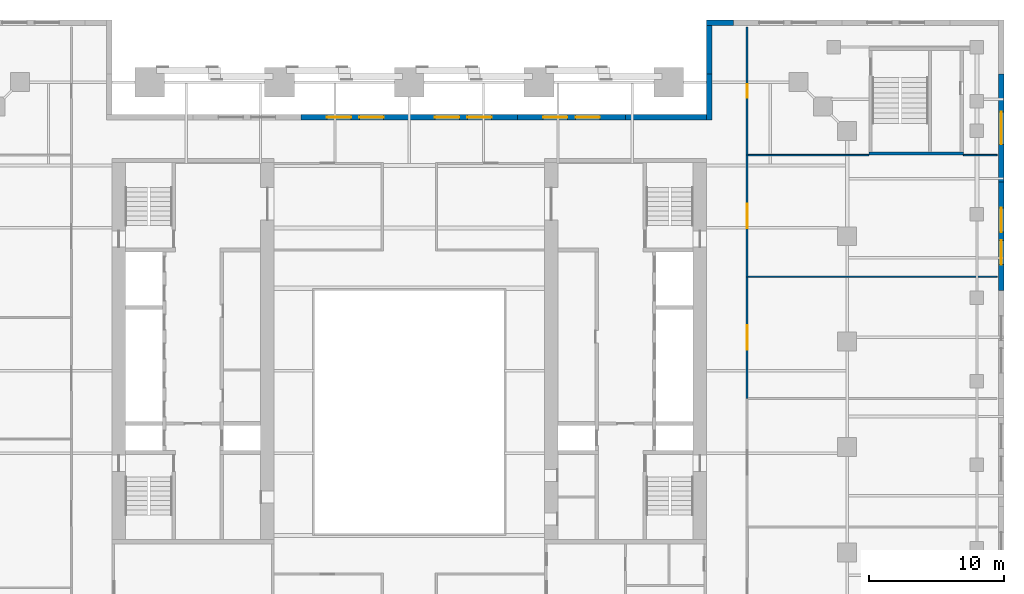
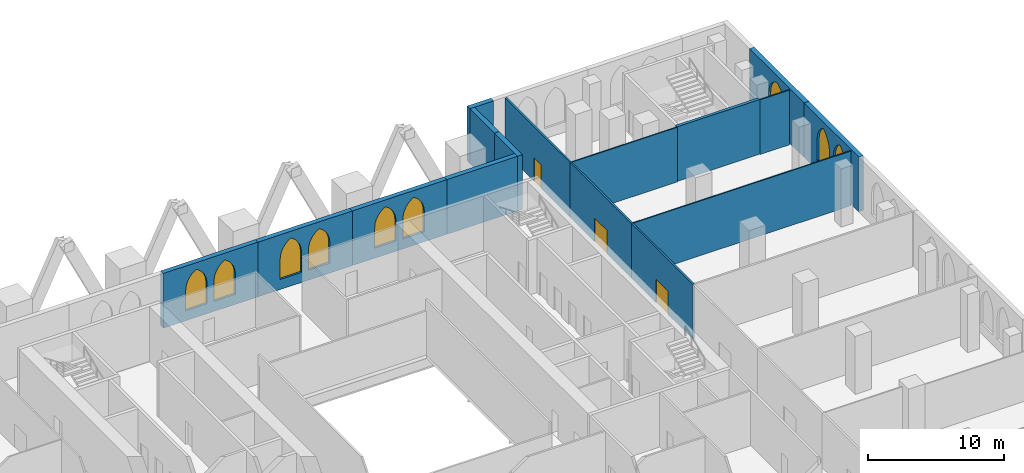
# One storey, part 17 of 22: 16 walls, 9 windows, 3 doors, 12 openings.
"""IFC4 building model written with IfcOpenShell, lengths in metres."""

from ifc_helpers import new_model, si_unit, direction, frame, frame_2d, origin, place, context, subcontext, project, spatial, polyline, rectangle, outline, extrude, material, layer, layer_set, type_object, element, fill, save


model = new_model("IFC4")

# Units and contexts
model_context = context("Model", 3, precision=1e-05, world=origin(), true_north=direction((0.0, 1.0)))
body_context = subcontext(model_context, "Body", "Model", "MODEL_VIEW")
ifc_project = project(units=[si_unit("LENGTHUNIT", "METRE"), si_unit("AREAUNIT", "SQUARE_METRE"), si_unit("VOLUMEUNIT", "CUBIC_METRE"), si_unit("PLANEANGLEUNIT", "RADIAN"), si_unit("MASSUNIT", "GRAM", prefix="KILO")], contexts=[model_context])

# Site, building, storey
site_placement = place(None, origin())
site = spatial("IfcSite", under=ifc_project, at=site_placement, CompositionType="ELEMENT")
building_placement = place(site_placement, origin())
building = spatial("IfcBuilding", under=site, at=building_placement, Name="Ogive Exchange Tower", CompositionType="ELEMENT")
storey_placement = place(building_placement, frame((0.0, 0.0, 14.0)))
storey = spatial("IfcBuildingStorey", under=building, at=storey_placement, Name="L02", CompositionType="ELEMENT", Elevation=14.0)

# Wall, opening, door
ifc_material_1 = material(Name="Fire partition EI 60 150")
ifc_layer_1 = layer(ifc_material_1, 0.14990234375)
ifc_layer_set_1 = layer_set([ifc_layer_1], Name="Fire partition EI 60 150")
wall_type_1 = type_object("IfcWallType", Name="Fire partition EI 60 150", PredefinedType="PARTITIONING", material=ifc_layer_set_1)
wall_1_placement = place(storey_placement, frame((25.0, 8.0, 0.0), z_axis=(0.0, 0.0, 1.0), x_axis=(0.0, 1.0, 0.0)))
wall_1 = element("IfcWall", 1, at=wall_1_placement, inside=storey, type_object=wall_type_1, Name="L02-PWL-058", PredefinedType="PARTITIONING", context=body_context, shape_type="SweptSolid", body=[
    extrude(rectangle(XDim=9.0, YDim=0.14990234375, at=frame_2d((4.5, 0.0))), origin(), (0.0, 0.0, 1.0), 4.89990234375),
])
opening_1_placement = place(wall_1_placement, frame((3.60009765625, 0.0, 0.0)))
opening_1 = element("IfcOpeningElement", 2, at=opening_1_placement, cuts=wall_1, Name="Opening L02-I12", PredefinedType="OPENING", context=body_context, shape_type="SweptSolid", body=[
    extrude(rectangle(XDim=1.800048828125, YDim=2.10009765625, at=frame_2d((0.89990234375, 1.050048828125))), frame((0.0, 0.0849609375, 0.0), z_axis=(0.0, -1.0, 0.0), x_axis=(1.0, 0.0, 0.0)), (0.0, 0.0, 1.0), 0.169921875),
])
ifc_material_2 = material(Name="Fire door FD 30S 1800 x 2100")
door_type_1 = type_object("IfcDoorType", Name="Fire door FD 30S 1800 x 2100", OperationType="DOUBLE_DOOR_SINGLE_SWING", PredefinedType="DOOR", material=ifc_material_2)
door_1_placement = place(opening_1_placement, frame((1.800048828125, 0.0, 0.0), z_axis=(0.0, 0.0, 1.0), x_axis=(-1.0, 0.0, 0.0)))
door_1 = element("IfcDoor", 3, at=door_1_placement, inside=storey, type_object=door_type_1, Name="L02-IDR-012", ObjectType="DT4", OperationType="SINGLE_SWING_LEFT", OverallHeight=2.10009765625, OverallWidth=1.800048828125, PredefinedType="DOOR", context=body_context, shape_type="SweptSolid", body=[
    extrude(rectangle(XDim=1.800048828125, YDim=2.10009765625, at=frame_2d((0.89990234375, 1.050048828125))), frame((0.0, 0.02490234375, 0.0), z_axis=(0.0, -1.0, 0.0), x_axis=(1.0, 0.0, 0.0)), (0.0, 0.0, 1.0), 0.050048828125),
])
fill(opening_1, door_1)

wall_2_placement = place(storey_placement, frame((25.0, 17.0, 0.0), z_axis=(0.0, 0.0, 1.0), x_axis=(0.0, 1.0, 0.0)))
wall_2 = element("IfcWall", 4, at=wall_2_placement, inside=storey, type_object=wall_type_1, Name="L02-PWL-059", PredefinedType="PARTITIONING", context=body_context, shape_type="SweptSolid", body=[
    extrude(rectangle(XDim=9.0, YDim=0.14990234375, at=frame_2d((4.5, 0.0))), origin(), (0.0, 0.0, 1.0), 4.89990234375),
])
opening_2_placement = place(wall_2_placement, frame((3.60009765625, 0.0, 0.0)))
opening_2 = element("IfcOpeningElement", 5, at=opening_2_placement, cuts=wall_2, Name="Opening L02-I13", PredefinedType="OPENING", context=body_context, shape_type="SweptSolid", body=[
    extrude(rectangle(XDim=1.800048828125, YDim=2.10009765625, at=frame_2d((0.89990234375, 1.050048828125))), frame((0.0, 0.0849609375, 0.0), z_axis=(0.0, -1.0, 0.0), x_axis=(1.0, 0.0, 0.0)), (0.0, 0.0, 1.0), 0.169921875),
])
door_2_placement = place(opening_2_placement, frame((1.800048828125, 0.0, 0.0), z_axis=(0.0, 0.0, 1.0), x_axis=(-1.0, 0.0, 0.0)))
door_2 = element("IfcDoor", 6, at=door_2_placement, inside=storey, type_object=door_type_1, Name="L02-IDR-013", ObjectType="DT4", OperationType="SINGLE_SWING_LEFT", OverallHeight=2.10009765625, OverallWidth=1.800048828125, PredefinedType="DOOR", context=body_context, shape_type="SweptSolid", body=[
    extrude(rectangle(XDim=1.800048828125, YDim=2.10009765625, at=frame_2d((0.89990234375, 1.050048828125))), frame((0.0, 0.02490234375, 0.0), z_axis=(0.0, -1.0, 0.0), x_axis=(1.0, 0.0, 0.0)), (0.0, 0.0, 1.0), 0.050048828125),
])
fill(opening_2, door_2)

wall_3_placement = place(storey_placement, frame((25.0, 26.0, 0.0), z_axis=(0.0, 0.0, 1.0), x_axis=(0.0, 1.0, 0.0)))
wall_3 = element("IfcWall", 7, at=wall_3_placement, inside=storey, type_object=wall_type_1, Name="L02-PWL-060", PredefinedType="PARTITIONING", context=body_context, shape_type="SweptSolid", body=[
    extrude(rectangle(XDim=9.5, YDim=0.14990234375, at=frame_2d((4.75, 0.0))), origin(), (0.0, 0.0, 1.0), 4.89990234375),
])
opening_3_placement = place(wall_3_placement, frame((4.25, 0.0, 0.0)))
opening_3 = element("IfcOpeningElement", 8, at=opening_3_placement, cuts=wall_3, Name="Opening L02-I02", PredefinedType="OPENING", context=body_context, shape_type="SweptSolid", body=[
    extrude(rectangle(XDim=1.0, YDim=2.10009765625, at=frame_2d((0.5, 1.050048828125))), frame((0.0, 0.0849609375, 0.0), z_axis=(0.0, -1.0, 0.0), x_axis=(1.0, 0.0, 0.0)), (0.0, 0.0, 1.0), 0.169921875),
])
ifc_material_3 = material(Name="Fire door FD 30S 1000 x 2100")
door_type_2 = type_object("IfcDoorType", Name="Fire door FD 30S 1000 x 2100", OperationType="NOTDEFINED", PredefinedType="DOOR", material=ifc_material_3)
door_3_placement = place(opening_3_placement, frame((1.0, 0.0, 0.0), z_axis=(0.0, 0.0, 1.0), x_axis=(-1.0, 0.0, 0.0)))
door_3 = element("IfcDoor", 9, at=door_3_placement, inside=storey, type_object=door_type_2, Name="L02-IDR-002", ObjectType="DT3", OperationType="SINGLE_SWING_RIGHT", OverallHeight=2.10009765625, OverallWidth=1.0, PredefinedType="DOOR", context=body_context, shape_type="SweptSolid", body=[
    extrude(rectangle(XDim=1.0, YDim=2.10009765625, at=frame_2d((0.5, 1.050048828125))), frame((0.0, 0.02490234375, 0.0), z_axis=(0.0, -1.0, 0.0), x_axis=(1.0, 0.0, 0.0)), (0.0, 0.0, 1.0), 0.050048828125),
])
fill(opening_3, door_3)

# Wall, openings, windows
ifc_material_4 = material(Name="Precast concrete C40/50", Category="concrete")
ifc_layer_2 = layer(ifc_material_4, 0.39990234375)
ifc_layer_set_2 = layer_set([ifc_layer_2], Name="Limestone-faced wall 400")
wall_type_2 = type_object("IfcWallType", Name="Limestone-faced wall 400", PredefinedType="STANDARD", material=ifc_layer_set_2)
wall_4_placement = place(storey_placement, frame((43.800048828125, 16.0, 0.0), z_axis=(0.0, 0.0, 1.0), x_axis=(0.0, 1.0, 0.0)))
wall_4 = element("IfcWall", 10, at=wall_4_placement, inside=storey, type_object=wall_type_2, Name="Podium wall E10", PredefinedType="STANDARD", context=body_context, shape_type="SweptSolid", body=[
    extrude(rectangle(XDim=8.0, YDim=0.39990234375, at=frame_2d((4.0, 0.0))), origin(), (0.0, 0.0, 1.0), 4.89990234375),
])
opening_4_placement = place(wall_4_placement, frame((1.89990234375, 0.0, 0.89990234375)))
opening_4 = element("IfcOpeningElement", 11, at=opening_4_placement, cuts=wall_4, Name="Opening WQ340", PredefinedType="OPENING", context=body_context, shape_type="SweptSolid", body=[
    extrude(outline(polyline([(0.0, 0.0), (1.800048828125, 0.0), (1.800048828125, 1.841064453125), (1.78466796875, 2.075927734375), (1.73876953125, 2.306884765625), (1.6630859375, 2.52978515625), (1.558837890625, 2.740966796875), (1.427978515625, 2.936767578125), (1.272705078125, 3.11376953125), (1.095703125, 3.26904296875), (0.89990234375, 3.39990234375), (0.704345703125, 3.26904296875), (0.52734375, 3.11376953125), (0.3720703125, 2.936767578125), (0.2412109375, 2.740966796875), (0.136962890625, 2.52978515625), (0.061279296875, 2.306884765625), (0.015380859375, 2.075927734375), (0.0, 1.841064453125), (0.0, 0.0)])), frame((0.0, 0.2099609375, 0.0), z_axis=(0.0, -1.0, 0.0), x_axis=(1.0, 0.0, 0.0)), (0.0, 0.0, 1.0), 0.419921875),
])
opening_5_placement = place(wall_4_placement, frame((4.300048828125, 0.0, 0.89990234375)))
opening_5 = element("IfcOpeningElement", 12, at=opening_5_placement, cuts=wall_4, Name="Opening WQ340", PredefinedType="OPENING", context=body_context, shape_type="SweptSolid", body=[
    extrude(outline(polyline([(0.0, 0.0), (1.800048828125, 0.0), (1.800048828125, 1.841064453125), (1.78466796875, 2.075927734375), (1.73876953125, 2.306884765625), (1.6630859375, 2.52978515625), (1.558837890625, 2.740966796875), (1.427978515625, 2.936767578125), (1.272705078125, 3.11376953125), (1.095703125, 3.26904296875), (0.89990234375, 3.39990234375), (0.704345703125, 3.26904296875), (0.52734375, 3.11376953125), (0.3720703125, 2.936767578125), (0.2412109375, 2.740966796875), (0.136962890625, 2.52978515625), (0.061279296875, 2.306884765625), (0.015380859375, 2.075927734375), (0.0, 1.841064453125), (0.0, 0.0)])), frame((0.0, 0.2099609375, 0.0), z_axis=(0.0, -1.0, 0.0), x_axis=(1.0, 0.0, 0.0)), (0.0, 0.0, 1.0), 0.419921875),
])
ifc_material_5 = material(Name="Clear glass in bronze frame", Category="glass")
window_type_1 = type_object("IfcWindowType", Name="Podium paired lancet 1800 x 3400", PartitioningType="DOUBLE_PANEL_VERTICAL", PredefinedType="WINDOW", material=ifc_material_5)
window_1_placement = place(opening_4_placement, origin())
window_1 = element("IfcWindow", 13, at=window_1_placement, inside=storey, type_object=window_type_1, Name="Podium paired lancet E10.1", OverallHeight=3.39990234375, OverallWidth=1.800048828125, PartitioningType="DOUBLE_PANEL_VERTICAL", PredefinedType="WINDOW", context=body_context, shape_type="SweptSolid", body=[
    extrude(outline(polyline([(0.0, 0.0), (1.800048828125, 0.0), (1.800048828125, 1.841064453125), (1.78466796875, 2.075927734375), (1.73876953125, 2.306884765625), (1.6630859375, 2.52978515625), (1.558837890625, 2.740966796875), (1.427978515625, 2.936767578125), (1.272705078125, 3.11376953125), (1.095703125, 3.26904296875), (0.89990234375, 3.39990234375), (0.704345703125, 3.26904296875), (0.52734375, 3.11376953125), (0.3720703125, 2.936767578125), (0.2412109375, 2.740966796875), (0.136962890625, 2.52978515625), (0.061279296875, 2.306884765625), (0.015380859375, 2.075927734375), (0.0, 1.841064453125), (0.0, 0.0)])), frame((0.0, 0.030029296875, 0.0), z_axis=(0.0, -1.0, 0.0), x_axis=(1.0, 0.0, 0.0)), (0.0, 0.0, 1.0), 0.06005859375),
])
fill(opening_4, window_1)
window_2_placement = place(opening_5_placement, origin())
window_2 = element("IfcWindow", 14, at=window_2_placement, inside=storey, type_object=window_type_1, Name="Podium paired lancet E10.2", OverallHeight=3.39990234375, OverallWidth=1.800048828125, PartitioningType="DOUBLE_PANEL_VERTICAL", PredefinedType="WINDOW", context=body_context, shape_type="SweptSolid", body=[
    extrude(outline(polyline([(0.0, 0.0), (1.800048828125, 0.0), (1.800048828125, 1.841064453125), (1.78466796875, 2.075927734375), (1.73876953125, 2.306884765625), (1.6630859375, 2.52978515625), (1.558837890625, 2.740966796875), (1.427978515625, 2.936767578125), (1.272705078125, 3.11376953125), (1.095703125, 3.26904296875), (0.89990234375, 3.39990234375), (0.704345703125, 3.26904296875), (0.52734375, 3.11376953125), (0.3720703125, 2.936767578125), (0.2412109375, 2.740966796875), (0.136962890625, 2.52978515625), (0.061279296875, 2.306884765625), (0.015380859375, 2.075927734375), (0.0, 1.841064453125), (0.0, 0.0)])), frame((0.0, 0.030029296875, 0.0), z_axis=(0.0, -1.0, 0.0), x_axis=(1.0, 0.0, 0.0)), (0.0, 0.0, 1.0), 0.06005859375),
])
fill(opening_5, window_2)

# Wall, opening, window
wall_5_placement = place(storey_placement, frame((43.800048828125, 24.0, 0.0), z_axis=(0.0, 0.0, 1.0), x_axis=(0.0, 1.0, 0.0)))
wall_5 = element("IfcWall", 15, at=wall_5_placement, inside=storey, type_object=wall_type_2, Name="Podium wall E11", PredefinedType="STANDARD", context=body_context, shape_type="SweptSolid", body=[
    extrude(rectangle(XDim=8.0, YDim=0.39990234375, at=frame_2d((4.0, 0.0))), origin(), (0.0, 0.0, 1.0), 4.89990234375),
])
opening_6_placement = place(wall_5_placement, frame((2.800048828125, 0.0, 0.89990234375)))
opening_6 = element("IfcOpeningElement", 16, at=opening_6_placement, cuts=wall_5, Name="Opening WP340", PredefinedType="OPENING", context=body_context, shape_type="SweptSolid", body=[
    extrude(outline(polyline([(0.0, 0.0), (2.39990234375, 0.0), (2.39990234375, 1.699951171875), (2.378662109375, 1.97607421875), (2.3154296875, 2.24560546875), (2.211669921875, 2.50244140625), (2.069580078125, 2.740234375), (1.89306640625, 2.95361328125), (1.685791015625, 3.137451171875), (1.453125, 3.287353515625), (1.199951171875, 3.39990234375), (0.94677734375, 3.287353515625), (0.714111328125, 3.137451171875), (0.5068359375, 2.95361328125), (0.330322265625, 2.740234375), (0.188232421875, 2.50244140625), (0.08447265625, 2.24560546875), (0.021240234375, 1.97607421875), (0.0, 1.699951171875), (0.0, 0.0)])), frame((0.0, 0.2099609375, 0.0), z_axis=(0.0, -1.0, 0.0), x_axis=(1.0, 0.0, 0.0)), (0.0, 0.0, 1.0), 0.419921875),
])
window_type_2 = type_object("IfcWindowType", Name="Podium lancet window 2400 x 3400", PartitioningType="DOUBLE_PANEL_VERTICAL", PredefinedType="WINDOW", material=ifc_material_5)
window_3_placement = place(opening_6_placement, origin())
window_3 = element("IfcWindow", 17, at=window_3_placement, inside=storey, type_object=window_type_2, Name="Podium window E11", OverallHeight=3.39990234375, OverallWidth=2.39990234375, PartitioningType="DOUBLE_PANEL_VERTICAL", PredefinedType="WINDOW", context=body_context, shape_type="SweptSolid", body=[
    extrude(outline(polyline([(0.0, 0.0), (2.39990234375, 0.0), (2.39990234375, 1.699951171875), (2.378662109375, 1.97607421875), (2.3154296875, 2.24560546875), (2.211669921875, 2.50244140625), (2.069580078125, 2.740234375), (1.89306640625, 2.95361328125), (1.685791015625, 3.137451171875), (1.453125, 3.287353515625), (1.199951171875, 3.39990234375), (0.94677734375, 3.287353515625), (0.714111328125, 3.137451171875), (0.5068359375, 2.95361328125), (0.330322265625, 2.740234375), (0.188232421875, 2.50244140625), (0.08447265625, 2.24560546875), (0.021240234375, 1.97607421875), (0.0, 1.699951171875), (0.0, 0.0)])), frame((0.0, 0.030029296875, 0.0), z_axis=(0.0, -1.0, 0.0), x_axis=(1.0, 0.0, 0.0)), (0.0, 0.0, 1.0), 0.06005859375),
])
fill(opening_6, window_3)

# Walls
wall_6_placement = place(storey_placement, frame((24.0, 35.800048828125, 0.0), z_axis=(0.0, 0.0, 1.0), x_axis=(-1.0, 0.0, 0.0)))
element("IfcWall", 18, at=wall_6_placement, inside=storey, type_object=wall_type_2, Name="Podium wall N4", PredefinedType="STANDARD", context=body_context, shape_type="SweptSolid", body=[
    extrude(rectangle(XDim=2.0, YDim=0.39990234375, at=frame_2d((1.0, 0.0))), origin(), (0.0, 0.0, 1.0), 4.89990234375),
])
wall_7_placement = place(storey_placement, frame((22.199951171875, 35.60009765625, 0.0), z_axis=(0.0, 0.0, 1.0), x_axis=(0.0, -1.0, 0.0)))
element("IfcWall", 19, at=wall_7_placement, inside=storey, type_object=wall_type_2, Name="Podium wall K1", PredefinedType="STANDARD", context=body_context, shape_type="SweptSolid", body=[
    extrude(rectangle(XDim=3.60009765625, YDim=0.39990234375, at=frame_2d((1.800048828125, 0.0))), origin(), (0.0, 0.0, 1.0), 4.89990234375),
])
wall_8_placement = place(storey_placement, frame((22.199951171875, 32.0, 0.0), z_axis=(0.0, 0.0, 1.0), x_axis=(0.0, -1.0, 0.0)))
element("IfcWall", 20, at=wall_8_placement, inside=storey, type_object=wall_type_2, Name="Podium wall K2", PredefinedType="STANDARD", context=body_context, shape_type="SweptSolid", body=[
    extrude(rectangle(XDim=3.39990234375, YDim=0.39990234375, at=frame_2d((1.699951171875, 0.0))), origin(), (0.0, 0.0, 1.0), 4.89990234375),
])
wall_9_placement = place(storey_placement, frame((22.0, 28.800048828125, 0.0), z_axis=(0.0, 0.0, 1.0), x_axis=(-1.0, 0.0, 0.0)))
element("IfcWall", 21, at=wall_9_placement, inside=storey, type_object=wall_type_2, Name="Podium wall B1", PredefinedType="STANDARD", context=body_context, shape_type="SweptSolid", body=[
    extrude(rectangle(XDim=6.0, YDim=0.39990234375, at=frame_2d((3.0, 0.0))), origin(), (0.0, 0.0, 1.0), 4.89990234375),
])

# Wall, openings, windows
wall_10_placement = place(storey_placement, frame((16.0, 28.800048828125, 0.0), z_axis=(0.0, 0.0, 1.0), x_axis=(-1.0, 0.0, 0.0)))
wall_10 = element("IfcWall", 22, at=wall_10_placement, inside=storey, type_object=wall_type_2, Name="Podium wall B2", PredefinedType="STANDARD", context=body_context, shape_type="SweptSolid", body=[
    extrude(rectangle(XDim=8.0, YDim=0.39990234375, at=frame_2d((4.0, 0.0))), origin(), (0.0, 0.0, 1.0), 4.89990234375),
])
opening_7_placement = place(wall_10_placement, frame((1.89990234375, 0.0, 0.89990234375)))
opening_7 = element("IfcOpeningElement", 23, at=opening_7_placement, cuts=wall_10, Name="Opening WQ340", PredefinedType="OPENING", context=body_context, shape_type="SweptSolid", body=[
    extrude(outline(polyline([(0.0, 0.0), (1.800048828125, 0.0), (1.800048828125, 1.841064453125), (1.78466796875, 2.075927734375), (1.73876953125, 2.306884765625), (1.6630859375, 2.52978515625), (1.558837890625, 2.740966796875), (1.427978515625, 2.936767578125), (1.272705078125, 3.11376953125), (1.095703125, 3.26904296875), (0.89990234375, 3.39990234375), (0.704345703125, 3.26904296875), (0.52734375, 3.11376953125), (0.3720703125, 2.936767578125), (0.2412109375, 2.740966796875), (0.136962890625, 2.52978515625), (0.061279296875, 2.306884765625), (0.015380859375, 2.075927734375), (0.0, 1.841064453125), (0.0, 0.0)])), frame((0.0, 0.2099609375, 0.0), z_axis=(0.0, -1.0, 0.0), x_axis=(1.0, 0.0, 0.0)), (0.0, 0.0, 1.0), 0.419921875),
])
opening_8_placement = place(wall_10_placement, frame((4.300048828125, 0.0, 0.89990234375)))
opening_8 = element("IfcOpeningElement", 24, at=opening_8_placement, cuts=wall_10, Name="Opening WQ340", PredefinedType="OPENING", context=body_context, shape_type="SweptSolid", body=[
    extrude(outline(polyline([(0.0, 0.0), (1.800048828125, 0.0), (1.800048828125, 1.841064453125), (1.78466796875, 2.075927734375), (1.73876953125, 2.306884765625), (1.6630859375, 2.52978515625), (1.558837890625, 2.740966796875), (1.427978515625, 2.936767578125), (1.272705078125, 3.11376953125), (1.095703125, 3.26904296875), (0.89990234375, 3.39990234375), (0.704345703125, 3.26904296875), (0.52734375, 3.11376953125), (0.3720703125, 2.936767578125), (0.2412109375, 2.740966796875), (0.136962890625, 2.52978515625), (0.061279296875, 2.306884765625), (0.015380859375, 2.075927734375), (0.0, 1.841064453125), (0.0, 0.0)])), frame((0.0, 0.2099609375, 0.0), z_axis=(0.0, -1.0, 0.0), x_axis=(1.0, 0.0, 0.0)), (0.0, 0.0, 1.0), 0.419921875),
])
window_4_placement = place(opening_7_placement, origin())
window_4 = element("IfcWindow", 25, at=window_4_placement, inside=storey, type_object=window_type_1, Name="Podium paired lancet B2.1", OverallHeight=3.39990234375, OverallWidth=1.800048828125, PartitioningType="DOUBLE_PANEL_VERTICAL", PredefinedType="WINDOW", context=body_context, shape_type="SweptSolid", body=[
    extrude(outline(polyline([(0.0, 0.0), (1.800048828125, 0.0), (1.800048828125, 1.841064453125), (1.78466796875, 2.075927734375), (1.73876953125, 2.306884765625), (1.6630859375, 2.52978515625), (1.558837890625, 2.740966796875), (1.427978515625, 2.936767578125), (1.272705078125, 3.11376953125), (1.095703125, 3.26904296875), (0.89990234375, 3.39990234375), (0.704345703125, 3.26904296875), (0.52734375, 3.11376953125), (0.3720703125, 2.936767578125), (0.2412109375, 2.740966796875), (0.136962890625, 2.52978515625), (0.061279296875, 2.306884765625), (0.015380859375, 2.075927734375), (0.0, 1.841064453125), (0.0, 0.0)])), frame((0.0, 0.030029296875, 0.0), z_axis=(0.0, -1.0, 0.0), x_axis=(1.0, 0.0, 0.0)), (0.0, 0.0, 1.0), 0.06005859375),
])
fill(opening_7, window_4)
window_5_placement = place(opening_8_placement, origin())
window_5 = element("IfcWindow", 26, at=window_5_placement, inside=storey, type_object=window_type_1, Name="Podium paired lancet B2.2", OverallHeight=3.39990234375, OverallWidth=1.800048828125, PartitioningType="DOUBLE_PANEL_VERTICAL", PredefinedType="WINDOW", context=body_context, shape_type="SweptSolid", body=[
    extrude(outline(polyline([(0.0, 0.0), (1.800048828125, 0.0), (1.800048828125, 1.841064453125), (1.78466796875, 2.075927734375), (1.73876953125, 2.306884765625), (1.6630859375, 2.52978515625), (1.558837890625, 2.740966796875), (1.427978515625, 2.936767578125), (1.272705078125, 3.11376953125), (1.095703125, 3.26904296875), (0.89990234375, 3.39990234375), (0.704345703125, 3.26904296875), (0.52734375, 3.11376953125), (0.3720703125, 2.936767578125), (0.2412109375, 2.740966796875), (0.136962890625, 2.52978515625), (0.061279296875, 2.306884765625), (0.015380859375, 2.075927734375), (0.0, 1.841064453125), (0.0, 0.0)])), frame((0.0, 0.030029296875, 0.0), z_axis=(0.0, -1.0, 0.0), x_axis=(1.0, 0.0, 0.0)), (0.0, 0.0, 1.0), 0.06005859375),
])
fill(opening_8, window_5)

wall_11_placement = place(storey_placement, frame((8.0, 28.800048828125, 0.0), z_axis=(0.0, 0.0, 1.0), x_axis=(-1.0, 0.0, 0.0)))
wall_11 = element("IfcWall", 27, at=wall_11_placement, inside=storey, type_object=wall_type_2, Name="Podium wall B3", PredefinedType="STANDARD", context=body_context, shape_type="SweptSolid", body=[
    extrude(rectangle(XDim=8.0, YDim=0.39990234375, at=frame_2d((4.0, 0.0))), origin(), (0.0, 0.0, 1.0), 4.89990234375),
])
opening_9_placement = place(wall_11_placement, frame((1.89990234375, 0.0, 0.89990234375)))
opening_9 = element("IfcOpeningElement", 28, at=opening_9_placement, cuts=wall_11, Name="Opening WQ340", PredefinedType="OPENING", context=body_context, shape_type="SweptSolid", body=[
    extrude(outline(polyline([(0.0, 0.0), (1.800048828125, 0.0), (1.800048828125, 1.841064453125), (1.78466796875, 2.075927734375), (1.73876953125, 2.306884765625), (1.6630859375, 2.52978515625), (1.558837890625, 2.740966796875), (1.427978515625, 2.936767578125), (1.272705078125, 3.11376953125), (1.095703125, 3.26904296875), (0.89990234375, 3.39990234375), (0.704345703125, 3.26904296875), (0.52734375, 3.11376953125), (0.3720703125, 2.936767578125), (0.2412109375, 2.740966796875), (0.136962890625, 2.52978515625), (0.061279296875, 2.306884765625), (0.015380859375, 2.075927734375), (0.0, 1.841064453125), (0.0, 0.0)])), frame((0.0, 0.2099609375, 0.0), z_axis=(0.0, -1.0, 0.0), x_axis=(1.0, 0.0, 0.0)), (0.0, 0.0, 1.0), 0.419921875),
])
opening_10_placement = place(wall_11_placement, frame((4.300048828125, 0.0, 0.89990234375)))
opening_10 = element("IfcOpeningElement", 29, at=opening_10_placement, cuts=wall_11, Name="Opening WQ340", PredefinedType="OPENING", context=body_context, shape_type="SweptSolid", body=[
    extrude(outline(polyline([(0.0, 0.0), (1.800048828125, 0.0), (1.800048828125, 1.841064453125), (1.78466796875, 2.075927734375), (1.73876953125, 2.306884765625), (1.6630859375, 2.52978515625), (1.558837890625, 2.740966796875), (1.427978515625, 2.936767578125), (1.272705078125, 3.11376953125), (1.095703125, 3.26904296875), (0.89990234375, 3.39990234375), (0.704345703125, 3.26904296875), (0.52734375, 3.11376953125), (0.3720703125, 2.936767578125), (0.2412109375, 2.740966796875), (0.136962890625, 2.52978515625), (0.061279296875, 2.306884765625), (0.015380859375, 2.075927734375), (0.0, 1.841064453125), (0.0, 0.0)])), frame((0.0, 0.2099609375, 0.0), z_axis=(0.0, -1.0, 0.0), x_axis=(1.0, 0.0, 0.0)), (0.0, 0.0, 1.0), 0.419921875),
])
window_6_placement = place(opening_9_placement, origin())
window_6 = element("IfcWindow", 30, at=window_6_placement, inside=storey, type_object=window_type_1, Name="Podium paired lancet B3.1", OverallHeight=3.39990234375, OverallWidth=1.800048828125, PartitioningType="DOUBLE_PANEL_VERTICAL", PredefinedType="WINDOW", context=body_context, shape_type="SweptSolid", body=[
    extrude(outline(polyline([(0.0, 0.0), (1.800048828125, 0.0), (1.800048828125, 1.841064453125), (1.78466796875, 2.075927734375), (1.73876953125, 2.306884765625), (1.6630859375, 2.52978515625), (1.558837890625, 2.740966796875), (1.427978515625, 2.936767578125), (1.272705078125, 3.11376953125), (1.095703125, 3.26904296875), (0.89990234375, 3.39990234375), (0.704345703125, 3.26904296875), (0.52734375, 3.11376953125), (0.3720703125, 2.936767578125), (0.2412109375, 2.740966796875), (0.136962890625, 2.52978515625), (0.061279296875, 2.306884765625), (0.015380859375, 2.075927734375), (0.0, 1.841064453125), (0.0, 0.0)])), frame((0.0, 0.030029296875, 0.0), z_axis=(0.0, -1.0, 0.0), x_axis=(1.0, 0.0, 0.0)), (0.0, 0.0, 1.0), 0.06005859375),
])
fill(opening_9, window_6)
window_7_placement = place(opening_10_placement, origin())
window_7 = element("IfcWindow", 31, at=window_7_placement, inside=storey, type_object=window_type_1, Name="Podium paired lancet B3.2", OverallHeight=3.39990234375, OverallWidth=1.800048828125, PartitioningType="DOUBLE_PANEL_VERTICAL", PredefinedType="WINDOW", context=body_context, shape_type="SweptSolid", body=[
    extrude(outline(polyline([(0.0, 0.0), (1.800048828125, 0.0), (1.800048828125, 1.841064453125), (1.78466796875, 2.075927734375), (1.73876953125, 2.306884765625), (1.6630859375, 2.52978515625), (1.558837890625, 2.740966796875), (1.427978515625, 2.936767578125), (1.272705078125, 3.11376953125), (1.095703125, 3.26904296875), (0.89990234375, 3.39990234375), (0.704345703125, 3.26904296875), (0.52734375, 3.11376953125), (0.3720703125, 2.936767578125), (0.2412109375, 2.740966796875), (0.136962890625, 2.52978515625), (0.061279296875, 2.306884765625), (0.015380859375, 2.075927734375), (0.0, 1.841064453125), (0.0, 0.0)])), frame((0.0, 0.030029296875, 0.0), z_axis=(0.0, -1.0, 0.0), x_axis=(1.0, 0.0, 0.0)), (0.0, 0.0, 1.0), 0.06005859375),
])
fill(opening_10, window_7)

wall_12_placement = place(storey_placement, frame((0.0, 28.800048828125, 0.0), z_axis=(0.0, 0.0, 1.0), x_axis=(-1.0, 0.0, 0.0)))
wall_12 = element("IfcWall", 32, at=wall_12_placement, inside=storey, type_object=wall_type_2, Name="Podium wall B4", PredefinedType="STANDARD", context=body_context, shape_type="SweptSolid", body=[
    extrude(rectangle(XDim=8.0, YDim=0.39990234375, at=frame_2d((4.0, 0.0))), origin(), (0.0, 0.0, 1.0), 4.89990234375),
])
opening_11_placement = place(wall_12_placement, frame((1.89990234375, 0.0, 0.89990234375)))
opening_11 = element("IfcOpeningElement", 33, at=opening_11_placement, cuts=wall_12, Name="Opening WQ340", PredefinedType="OPENING", context=body_context, shape_type="SweptSolid", body=[
    extrude(outline(polyline([(0.0, 0.0), (1.800048828125, 0.0), (1.800048828125, 1.841064453125), (1.78466796875, 2.075927734375), (1.73876953125, 2.306884765625), (1.6630859375, 2.52978515625), (1.558837890625, 2.740966796875), (1.427978515625, 2.936767578125), (1.272705078125, 3.11376953125), (1.095703125, 3.26904296875), (0.89990234375, 3.39990234375), (0.704345703125, 3.26904296875), (0.52734375, 3.11376953125), (0.3720703125, 2.936767578125), (0.2412109375, 2.740966796875), (0.136962890625, 2.52978515625), (0.061279296875, 2.306884765625), (0.015380859375, 2.075927734375), (0.0, 1.841064453125), (0.0, 0.0)])), frame((0.0, 0.2099609375, 0.0), z_axis=(0.0, -1.0, 0.0), x_axis=(1.0, 0.0, 0.0)), (0.0, 0.0, 1.0), 0.419921875),
])
opening_12_placement = place(wall_12_placement, frame((4.300048828125, 0.0, 0.89990234375)))
opening_12 = element("IfcOpeningElement", 34, at=opening_12_placement, cuts=wall_12, Name="Opening WQ340", PredefinedType="OPENING", context=body_context, shape_type="SweptSolid", body=[
    extrude(outline(polyline([(0.0, 0.0), (1.800048828125, 0.0), (1.800048828125, 1.841064453125), (1.78466796875, 2.075927734375), (1.73876953125, 2.306884765625), (1.6630859375, 2.52978515625), (1.558837890625, 2.740966796875), (1.427978515625, 2.936767578125), (1.272705078125, 3.11376953125), (1.095703125, 3.26904296875), (0.89990234375, 3.39990234375), (0.704345703125, 3.26904296875), (0.52734375, 3.11376953125), (0.3720703125, 2.936767578125), (0.2412109375, 2.740966796875), (0.136962890625, 2.52978515625), (0.061279296875, 2.306884765625), (0.015380859375, 2.075927734375), (0.0, 1.841064453125), (0.0, 0.0)])), frame((0.0, 0.2099609375, 0.0), z_axis=(0.0, -1.0, 0.0), x_axis=(1.0, 0.0, 0.0)), (0.0, 0.0, 1.0), 0.419921875),
])
window_8_placement = place(opening_11_placement, origin())
window_8 = element("IfcWindow", 35, at=window_8_placement, inside=storey, type_object=window_type_1, Name="Podium paired lancet B4.1", OverallHeight=3.39990234375, OverallWidth=1.800048828125, PartitioningType="DOUBLE_PANEL_VERTICAL", PredefinedType="WINDOW", context=body_context, shape_type="SweptSolid", body=[
    extrude(outline(polyline([(0.0, 0.0), (1.800048828125, 0.0), (1.800048828125, 1.841064453125), (1.78466796875, 2.075927734375), (1.73876953125, 2.306884765625), (1.6630859375, 2.52978515625), (1.558837890625, 2.740966796875), (1.427978515625, 2.936767578125), (1.272705078125, 3.11376953125), (1.095703125, 3.26904296875), (0.89990234375, 3.39990234375), (0.704345703125, 3.26904296875), (0.52734375, 3.11376953125), (0.3720703125, 2.936767578125), (0.2412109375, 2.740966796875), (0.136962890625, 2.52978515625), (0.061279296875, 2.306884765625), (0.015380859375, 2.075927734375), (0.0, 1.841064453125), (0.0, 0.0)])), frame((0.0, 0.030029296875, 0.0), z_axis=(0.0, -1.0, 0.0), x_axis=(1.0, 0.0, 0.0)), (0.0, 0.0, 1.0), 0.06005859375),
])
fill(opening_11, window_8)
window_9_placement = place(opening_12_placement, origin())
window_9 = element("IfcWindow", 36, at=window_9_placement, inside=storey, type_object=window_type_1, Name="Podium paired lancet B4.2", OverallHeight=3.39990234375, OverallWidth=1.800048828125, PartitioningType="DOUBLE_PANEL_VERTICAL", PredefinedType="WINDOW", context=body_context, shape_type="SweptSolid", body=[
    extrude(outline(polyline([(0.0, 0.0), (1.800048828125, 0.0), (1.800048828125, 1.841064453125), (1.78466796875, 2.075927734375), (1.73876953125, 2.306884765625), (1.6630859375, 2.52978515625), (1.558837890625, 2.740966796875), (1.427978515625, 2.936767578125), (1.272705078125, 3.11376953125), (1.095703125, 3.26904296875), (0.89990234375, 3.39990234375), (0.704345703125, 3.26904296875), (0.52734375, 3.11376953125), (0.3720703125, 2.936767578125), (0.2412109375, 2.740966796875), (0.136962890625, 2.52978515625), (0.061279296875, 2.306884765625), (0.015380859375, 2.075927734375), (0.0, 1.841064453125), (0.0, 0.0)])), frame((0.0, 0.030029296875, 0.0), z_axis=(0.0, -1.0, 0.0), x_axis=(1.0, 0.0, 0.0)), (0.0, 0.0, 1.0), 0.06005859375),
])
fill(opening_12, window_9)

# Walls
ifc_material_6 = material(Name="Partition 100 gypsum")
ifc_layer_3 = layer(ifc_material_6, 0.10009765625)
ifc_layer_set_3 = layer_set([ifc_layer_3], Name="Partition 100 gypsum")
wall_type_3 = type_object("IfcWallType", Name="Partition 100 gypsum", PredefinedType="PARTITIONING", material=ifc_layer_set_3)
wall_13_placement = place(storey_placement, frame((25.074951171875, 17.0, 0.0), z_axis=(0.0, 0.0, 1.0), x_axis=(1.0, 0.0, 0.0)))
element("IfcWall", 37, at=wall_13_placement, inside=storey, type_object=wall_type_3, Name="L02-PWL-028", PredefinedType="PARTITIONING", context=body_context, shape_type="SweptSolid", body=[
    extrude(rectangle(XDim=18.425048828125, YDim=0.10009765625, at=frame_2d((9.21240234375, 0.0))), origin(), (0.0, 0.0, 1.0), 4.89990234375),
])
wall_14_placement = place(storey_placement, frame((25.074951171875, 26.0, 0.0), z_axis=(0.0, 0.0, 1.0), x_axis=(1.0, 0.0, 0.0)))
element("IfcWall", 38, at=wall_14_placement, inside=storey, type_object=wall_type_3, Name="L02-PWL-035", PredefinedType="PARTITIONING", context=body_context, shape_type="SweptSolid", body=[
    extrude(rectangle(XDim=8.925048828125, YDim=0.10009765625, at=frame_2d((4.46240234375, 0.0))), origin(), (0.0, 0.0, 1.0), 4.89990234375),
])
wall_15_placement = place(storey_placement, frame((41.0, 26.0, 0.0), z_axis=(0.0, 0.0, 1.0), x_axis=(1.0, 0.0, 0.0)))
element("IfcWall", 39, at=wall_15_placement, inside=storey, type_object=wall_type_3, Name="L02-PWL-036", PredefinedType="PARTITIONING", context=body_context, shape_type="SweptSolid", body=[
    extrude(rectangle(XDim=2.5, YDim=0.10009765625, at=frame_2d((1.25, 0.0))), origin(), (0.0, 0.0, 1.0), 4.89990234375),
])
ifc_material_7 = material(Name="Concrete C70/85", Category="concrete")
ifc_layer_4 = layer(ifc_material_7, 0.25)
ifc_layer_set_4 = layer_set([ifc_layer_4], Name="RC core wall 250 C70/85")
wall_type_4 = type_object("IfcWallType", Name="RC core wall 250 C70/85", PredefinedType="SHEAR", material=ifc_layer_set_4)
wall_16_placement = place(storey_placement, frame((34.0, 26.125, 0.0), z_axis=(0.0, 0.0, 1.0), x_axis=(1.0, 0.0, 0.0)))
element("IfcWall", 40, at=wall_16_placement, inside=storey, type_object=wall_type_4, Name="PS4 south wall", PredefinedType="SHEAR", context=body_context, shape_type="SweptSolid", body=[
    extrude(rectangle(XDim=7.0, YDim=0.25, at=frame_2d((3.5, 0.0))), origin(), (0.0, 0.0, 1.0), 4.89990234375),
])

save(model, "model.ifc")
